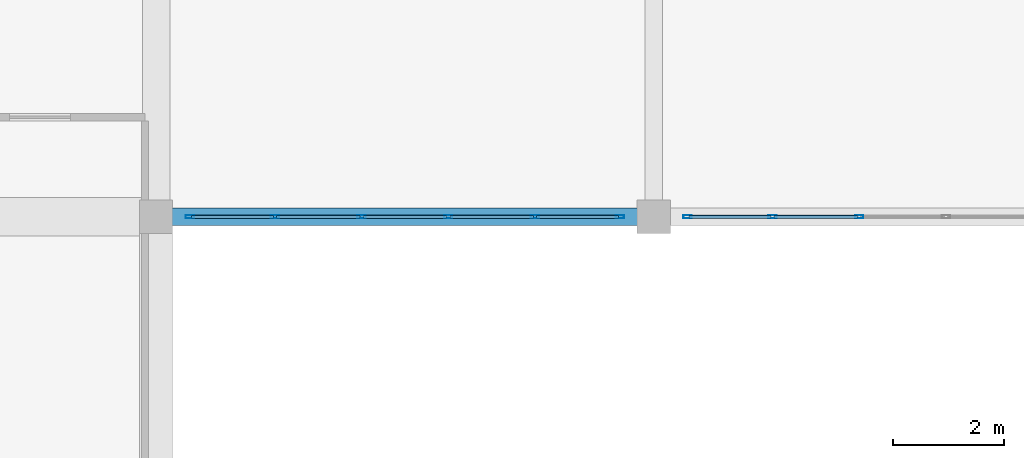
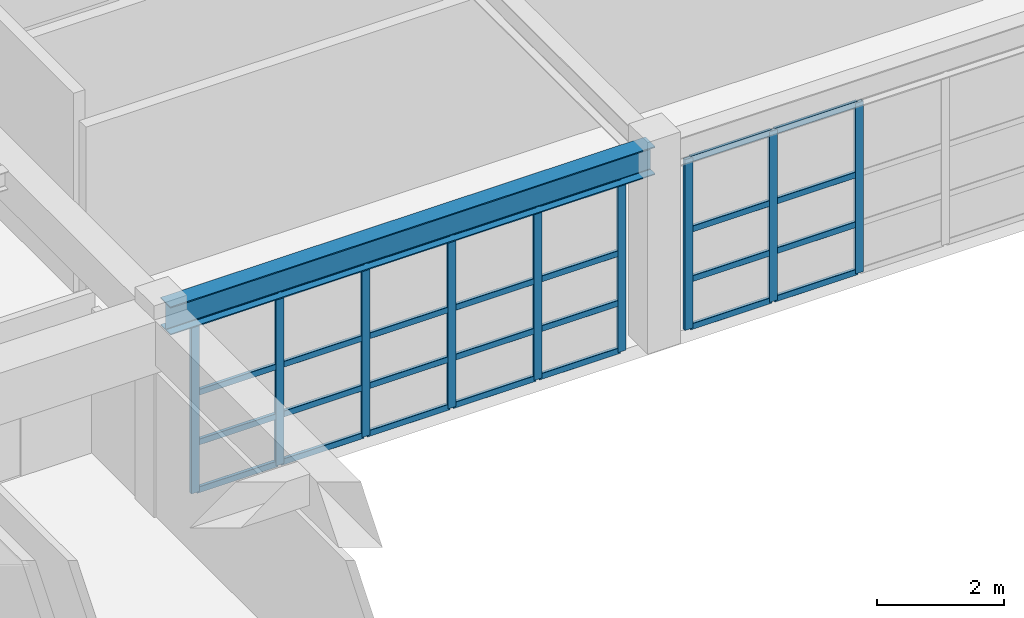
# One storey, part 44 of 130: 37 members, 1 beam, 2 elements without a shape of their own.
"""IFC4 building model written with IfcOpenShell, lengths in metres."""

from ifc_helpers import new_model, si_unit, direction, frame, origin, origin_2d, place, context, subcontext, project, spatial, hollow_rectangle, i_section, extrude, material, material_profile, profile_set, type_object, element, aggregate, save


model = new_model("IFC4")

# Units and contexts
model_context = context("Model", 3, precision=1e-05, world=origin(), true_north=direction((0.0, 1.0)))
body_context = subcontext(model_context, "Body", "Model", "MODEL_VIEW")
ifc_project = project(units=[si_unit("LENGTHUNIT", "METRE"), si_unit("AREAUNIT", "SQUARE_METRE"), si_unit("VOLUMEUNIT", "CUBIC_METRE"), si_unit("PLANEANGLEUNIT", "RADIAN"), si_unit("MASSUNIT", "GRAM", prefix="KILO")], contexts=[model_context])

# Site, building, storey
site_placement = place(None, origin())
site = spatial("IfcSite", under=ifc_project, at=site_placement, CompositionType="ELEMENT")
building_placement = place(site_placement, origin())
building = spatial("IfcBuilding", under=site, at=building_placement, Name="Miravela Opera House", CompositionType="ELEMENT")
storey_placement = place(building_placement, frame((0.0, 0.0, 9.52001953125)))
storey = spatial("IfcBuildingStorey", under=building, at=storey_placement, Name="L02", CompositionType="ELEMENT", Elevation=9.52001953125)

# Curtain wall, members
ifc_material_1 = material(Name="Anodised architectural bronze aluminium 6063-T6", Category="aluminium")
curtain_wall_type = type_object("IfcCurtainWallType", Name="ARC-CW-06", PredefinedType="NOTDEFINED", material=ifc_material_1)
curtain_wall_1_placement = place(storey_placement, origin())
curtain_wall_1 = element("IfcCurtainWall", 1, at=curtain_wall_1_placement, inside=storey, type_object=curtain_wall_type, Name="Courtyard Arcade Curtain Wall CW-L02-182", PredefinedType="NOTDEFINED")
ifc_material_profile_1 = material_profile(ifc_material_1, hollow_rectangle(XDim=0.06005859375, YDim=0.14990234375, WallThickness=0.00390625, InnerFilletRadius=0.001953125, OuterFilletRadius=0.00390625, at=origin_2d()), Name="CWM-60X150")
ifc_profile_set_1 = profile_set([ifc_material_profile_1])
member_type_1 = type_object("IfcMemberType", Name="ARC-CWM-150", PredefinedType="MULLION", material=ifc_profile_set_1)
member_1_placement = place(storey_placement, frame((117.610107421875, 28.0, 0.0), z_axis=(0.0, 0.0, 1.0), x_axis=(0.0, 1.0, 0.0)))
member_1 = element("IfcMember", 2, at=member_1_placement, type_object=member_type_1, Name="CW-06 mullion 1", PredefinedType="MULLION", context=body_context, shape_type="SweptSolid", body=[
    extrude(hollow_rectangle(XDim=0.06005859375, YDim=0.14990234375, WallThickness=0.00390625, InnerFilletRadius=0.001953125, OuterFilletRadius=0.00390625, at=origin_2d()), origin(), (0.0, 0.0, 1.0), 3.2900390625),
])
member_2_placement = place(storey_placement, frame((119.14794921875, 28.0, 0.0), z_axis=(0.0, 0.0, 1.0), x_axis=(0.0, 1.0, 0.0)))
member_2 = element("IfcMember", 3, at=member_2_placement, type_object=member_type_1, Name="CW-06 mullion 2", PredefinedType="MULLION", context=body_context, shape_type="SweptSolid", body=[
    extrude(hollow_rectangle(XDim=0.06005859375, YDim=0.14990234375, WallThickness=0.00390625, InnerFilletRadius=0.001953125, OuterFilletRadius=0.00390625, at=origin_2d()), origin(), (0.0, 0.0, 1.0), 3.2900390625),
])
member_3_placement = place(storey_placement, frame((120.716064453125, 28.0, 0.0), z_axis=(0.0, 0.0, 1.0), x_axis=(0.0, 1.0, 0.0)))
member_3 = element("IfcMember", 4, at=member_3_placement, type_object=member_type_1, Name="CW-06 mullion 3", PredefinedType="MULLION", context=body_context, shape_type="SweptSolid", body=[
    extrude(hollow_rectangle(XDim=0.06005859375, YDim=0.14990234375, WallThickness=0.00390625, InnerFilletRadius=0.001953125, OuterFilletRadius=0.00390625, at=origin_2d()), origin(), (0.0, 0.0, 1.0), 3.2900390625),
])
member_4_placement = place(storey_placement, frame((122.283935546875, 28.0, 0.0), z_axis=(0.0, 0.0, 1.0), x_axis=(0.0, 1.0, 0.0)))
member_4 = element("IfcMember", 5, at=member_4_placement, type_object=member_type_1, Name="CW-06 mullion 4", PredefinedType="MULLION", context=body_context, shape_type="SweptSolid", body=[
    extrude(hollow_rectangle(XDim=0.06005859375, YDim=0.14990234375, WallThickness=0.00390625, InnerFilletRadius=0.001953125, OuterFilletRadius=0.00390625, at=origin_2d()), origin(), (0.0, 0.0, 1.0), 3.2900390625),
])
member_5_placement = place(storey_placement, frame((123.85205078125, 28.0, 0.0), z_axis=(0.0, 0.0, 1.0), x_axis=(0.0, 1.0, 0.0)))
member_5 = element("IfcMember", 6, at=member_5_placement, type_object=member_type_1, Name="CW-06 mullion 5", PredefinedType="MULLION", context=body_context, shape_type="SweptSolid", body=[
    extrude(hollow_rectangle(XDim=0.06005859375, YDim=0.14990234375, WallThickness=0.00390625, InnerFilletRadius=0.001953125, OuterFilletRadius=0.00390625, at=origin_2d()), origin(), (0.0, 0.0, 1.0), 3.2900390625),
])
member_6_placement = place(storey_placement, frame((125.389892578125, 28.0, 0.0), z_axis=(0.0, 0.0, 1.0), x_axis=(0.0, 1.0, 0.0)))
member_6 = element("IfcMember", 7, at=member_6_placement, type_object=member_type_1, Name="CW-06 mullion 6", PredefinedType="MULLION", context=body_context, shape_type="SweptSolid", body=[
    extrude(hollow_rectangle(XDim=0.06005859375, YDim=0.14990234375, WallThickness=0.00390625, InnerFilletRadius=0.001953125, OuterFilletRadius=0.00390625, at=origin_2d()), origin(), (0.0, 0.0, 1.0), 3.2900390625),
])

curtain_wall_2_placement = place(storey_placement, origin())
curtain_wall_2 = element("IfcCurtainWall", 8, at=curtain_wall_2_placement, inside=storey, type_object=curtain_wall_type, Name="Courtyard Arcade Curtain Wall CW-L02-186", PredefinedType="NOTDEFINED")
member_7_placement = place(storey_placement, frame((126.610107421875, 28.0, 0.0), z_axis=(0.0, 0.0, 1.0), x_axis=(0.0, 1.0, 0.0)))
member_7 = element("IfcMember", 9, at=member_7_placement, type_object=member_type_1, Name="CW-06 mullion 1", PredefinedType="MULLION", context=body_context, shape_type="SweptSolid", body=[
    extrude(hollow_rectangle(XDim=0.06005859375, YDim=0.14990234375, WallThickness=0.00390625, InnerFilletRadius=0.001953125, OuterFilletRadius=0.00390625, at=origin_2d()), origin(), (0.0, 0.0, 1.0), 3.2900390625),
])
member_8_placement = place(storey_placement, frame((128.14794921875, 28.0, 0.0), z_axis=(0.0, 0.0, 1.0), x_axis=(0.0, 1.0, 0.0)))
member_8 = element("IfcMember", 10, at=member_8_placement, type_object=member_type_1, Name="CW-06 mullion 2", PredefinedType="MULLION", context=body_context, shape_type="SweptSolid", body=[
    extrude(hollow_rectangle(XDim=0.06005859375, YDim=0.14990234375, WallThickness=0.00390625, InnerFilletRadius=0.001953125, OuterFilletRadius=0.00390625, at=origin_2d()), origin(), (0.0, 0.0, 1.0), 3.2900390625),
])
member_9_placement = place(storey_placement, frame((129.716064453125, 28.0, 0.0), z_axis=(0.0, 0.0, 1.0), x_axis=(0.0, 1.0, 0.0)))
member_9 = element("IfcMember", 11, at=member_9_placement, type_object=member_type_1, Name="CW-06 mullion 3", PredefinedType="MULLION", context=body_context, shape_type="SweptSolid", body=[
    extrude(hollow_rectangle(XDim=0.06005859375, YDim=0.14990234375, WallThickness=0.00390625, InnerFilletRadius=0.001953125, OuterFilletRadius=0.00390625, at=origin_2d()), origin(), (0.0, 0.0, 1.0), 3.2900390625),
])

# Member
ifc_material_profile_2 = material_profile(ifc_material_1, hollow_rectangle(XDim=0.06005859375, YDim=0.114990234375, WallThickness=0.00390625, InnerFilletRadius=0.001953125, OuterFilletRadius=0.00390625, at=origin_2d()), Name="CWT-60X115")
ifc_profile_set_2 = profile_set([ifc_material_profile_2])
member_type_2 = type_object("IfcMemberType", Name="ARC-CWT-115", PredefinedType="USERDEFINED", material=ifc_profile_set_2)
member_10_placement = place(storey_placement, frame((117.639892578125, 28.0, 0.030029296875), z_axis=(1.0, 0.0, 0.0), x_axis=(0.0, 1.0, 0.0)))
member_10 = element("IfcMember", 12, at=member_10_placement, type_object=member_type_2, Name="CW-06 transom 1.1", ObjectType="TRANSOM", PredefinedType="USERDEFINED", context=body_context, shape_type="SweptSolid", body=[
    extrude(hollow_rectangle(XDim=0.06005859375, YDim=0.114990234375, WallThickness=0.00390625, InnerFilletRadius=0.001953125, OuterFilletRadius=0.00390625, at=origin_2d()), origin(), (0.0, 0.0, 1.0), 1.47802734375),
])

member_11_placement = place(storey_placement, frame((117.639892578125, 28.0, 0.949951171875), z_axis=(1.0, 0.0, 0.0), x_axis=(0.0, 1.0, 0.0)))
member_11 = element("IfcMember", 13, at=member_11_placement, type_object=member_type_2, Name="CW-06 transom 1.2", ObjectType="TRANSOM", PredefinedType="USERDEFINED", context=body_context, shape_type="SweptSolid", body=[
    extrude(hollow_rectangle(XDim=0.06005859375, YDim=0.114990234375, WallThickness=0.00390625, InnerFilletRadius=0.001953125, OuterFilletRadius=0.00390625, at=origin_2d()), origin(), (0.0, 0.0, 1.0), 1.47802734375),
])

member_12_placement = place(storey_placement, frame((117.639892578125, 28.0, 1.908203125), z_axis=(1.0, 0.0, 0.0), x_axis=(0.0, 1.0, 0.0)))
member_12 = element("IfcMember", 14, at=member_12_placement, type_object=member_type_2, Name="CW-06 transom 1.3", ObjectType="TRANSOM", PredefinedType="USERDEFINED", context=body_context, shape_type="SweptSolid", body=[
    extrude(hollow_rectangle(XDim=0.06005859375, YDim=0.114990234375, WallThickness=0.00390625, InnerFilletRadius=0.001953125, OuterFilletRadius=0.00390625, at=origin_2d()), origin(), (0.0, 0.0, 1.0), 1.47802734375),
])

member_13_placement = place(storey_placement, frame((117.639892578125, 28.0, 3.260009765625), z_axis=(1.0, 0.0, 0.0), x_axis=(0.0, 1.0, 0.0)))
member_13 = element("IfcMember", 15, at=member_13_placement, type_object=member_type_2, Name="CW-06 transom 1.4", ObjectType="TRANSOM", PredefinedType="USERDEFINED", context=body_context, shape_type="SweptSolid", body=[
    extrude(hollow_rectangle(XDim=0.06005859375, YDim=0.114990234375, WallThickness=0.00390625, InnerFilletRadius=0.001953125, OuterFilletRadius=0.00390625, at=origin_2d()), origin(), (0.0, 0.0, 1.0), 1.47802734375),
])

member_14_placement = place(storey_placement, frame((119.177978515625, 28.0, 0.030029296875), z_axis=(1.0, 0.0, 0.0), x_axis=(0.0, 1.0, 0.0)))
member_14 = element("IfcMember", 16, at=member_14_placement, type_object=member_type_2, Name="CW-06 transom 2.1", ObjectType="TRANSOM", PredefinedType="USERDEFINED", context=body_context, shape_type="SweptSolid", body=[
    extrude(hollow_rectangle(XDim=0.06005859375, YDim=0.114990234375, WallThickness=0.00390625, InnerFilletRadius=0.001953125, OuterFilletRadius=0.00390625, at=origin_2d()), origin(), (0.0, 0.0, 1.0), 1.508056640625),
])

member_15_placement = place(storey_placement, frame((119.177978515625, 28.0, 0.949951171875), z_axis=(1.0, 0.0, 0.0), x_axis=(0.0, 1.0, 0.0)))
member_15 = element("IfcMember", 17, at=member_15_placement, type_object=member_type_2, Name="CW-06 transom 2.2", ObjectType="TRANSOM", PredefinedType="USERDEFINED", context=body_context, shape_type="SweptSolid", body=[
    extrude(hollow_rectangle(XDim=0.06005859375, YDim=0.114990234375, WallThickness=0.00390625, InnerFilletRadius=0.001953125, OuterFilletRadius=0.00390625, at=origin_2d()), origin(), (0.0, 0.0, 1.0), 1.508056640625),
])

member_16_placement = place(storey_placement, frame((119.177978515625, 28.0, 1.908203125), z_axis=(1.0, 0.0, 0.0), x_axis=(0.0, 1.0, 0.0)))
member_16 = element("IfcMember", 18, at=member_16_placement, type_object=member_type_2, Name="CW-06 transom 2.3", ObjectType="TRANSOM", PredefinedType="USERDEFINED", context=body_context, shape_type="SweptSolid", body=[
    extrude(hollow_rectangle(XDim=0.06005859375, YDim=0.114990234375, WallThickness=0.00390625, InnerFilletRadius=0.001953125, OuterFilletRadius=0.00390625, at=origin_2d()), origin(), (0.0, 0.0, 1.0), 1.508056640625),
])

member_17_placement = place(storey_placement, frame((119.177978515625, 28.0, 3.260009765625), z_axis=(1.0, 0.0, 0.0), x_axis=(0.0, 1.0, 0.0)))
member_17 = element("IfcMember", 19, at=member_17_placement, type_object=member_type_2, Name="CW-06 transom 2.4", ObjectType="TRANSOM", PredefinedType="USERDEFINED", context=body_context, shape_type="SweptSolid", body=[
    extrude(hollow_rectangle(XDim=0.06005859375, YDim=0.114990234375, WallThickness=0.00390625, InnerFilletRadius=0.001953125, OuterFilletRadius=0.00390625, at=origin_2d()), origin(), (0.0, 0.0, 1.0), 1.508056640625),
])

member_18_placement = place(storey_placement, frame((120.74609375, 28.0, 0.030029296875), z_axis=(1.0, 0.0, 0.0), x_axis=(0.0, 1.0, 0.0)))
member_18 = element("IfcMember", 20, at=member_18_placement, type_object=member_type_2, Name="CW-06 transom 3.1", ObjectType="TRANSOM", PredefinedType="USERDEFINED", context=body_context, shape_type="SweptSolid", body=[
    extrude(hollow_rectangle(XDim=0.06005859375, YDim=0.114990234375, WallThickness=0.00390625, InnerFilletRadius=0.001953125, OuterFilletRadius=0.00390625, at=origin_2d()), origin(), (0.0, 0.0, 1.0), 1.5078125),
])

member_19_placement = place(storey_placement, frame((120.74609375, 28.0, 0.949951171875), z_axis=(1.0, 0.0, 0.0), x_axis=(0.0, 1.0, 0.0)))
member_19 = element("IfcMember", 21, at=member_19_placement, type_object=member_type_2, Name="CW-06 transom 3.2", ObjectType="TRANSOM", PredefinedType="USERDEFINED", context=body_context, shape_type="SweptSolid", body=[
    extrude(hollow_rectangle(XDim=0.06005859375, YDim=0.114990234375, WallThickness=0.00390625, InnerFilletRadius=0.001953125, OuterFilletRadius=0.00390625, at=origin_2d()), origin(), (0.0, 0.0, 1.0), 1.5078125),
])

member_20_placement = place(storey_placement, frame((120.74609375, 28.0, 1.908203125), z_axis=(1.0, 0.0, 0.0), x_axis=(0.0, 1.0, 0.0)))
member_20 = element("IfcMember", 22, at=member_20_placement, type_object=member_type_2, Name="CW-06 transom 3.3", ObjectType="TRANSOM", PredefinedType="USERDEFINED", context=body_context, shape_type="SweptSolid", body=[
    extrude(hollow_rectangle(XDim=0.06005859375, YDim=0.114990234375, WallThickness=0.00390625, InnerFilletRadius=0.001953125, OuterFilletRadius=0.00390625, at=origin_2d()), origin(), (0.0, 0.0, 1.0), 1.5078125),
])

member_21_placement = place(storey_placement, frame((120.74609375, 28.0, 3.260009765625), z_axis=(1.0, 0.0, 0.0), x_axis=(0.0, 1.0, 0.0)))
member_21 = element("IfcMember", 23, at=member_21_placement, type_object=member_type_2, Name="CW-06 transom 3.4", ObjectType="TRANSOM", PredefinedType="USERDEFINED", context=body_context, shape_type="SweptSolid", body=[
    extrude(hollow_rectangle(XDim=0.06005859375, YDim=0.114990234375, WallThickness=0.00390625, InnerFilletRadius=0.001953125, OuterFilletRadius=0.00390625, at=origin_2d()), origin(), (0.0, 0.0, 1.0), 1.5078125),
])

member_22_placement = place(storey_placement, frame((122.31396484375, 28.0, 0.030029296875), z_axis=(1.0, 0.0, 0.0), x_axis=(0.0, 1.0, 0.0)))
member_22 = element("IfcMember", 24, at=member_22_placement, type_object=member_type_2, Name="CW-06 transom 4.1", ObjectType="TRANSOM", PredefinedType="USERDEFINED", context=body_context, shape_type="SweptSolid", body=[
    extrude(hollow_rectangle(XDim=0.06005859375, YDim=0.114990234375, WallThickness=0.00390625, InnerFilletRadius=0.001953125, OuterFilletRadius=0.00390625, at=origin_2d()), origin(), (0.0, 0.0, 1.0), 1.508056640625),
])

member_23_placement = place(storey_placement, frame((122.31396484375, 28.0, 0.949951171875), z_axis=(1.0, 0.0, 0.0), x_axis=(0.0, 1.0, 0.0)))
member_23 = element("IfcMember", 25, at=member_23_placement, type_object=member_type_2, Name="CW-06 transom 4.2", ObjectType="TRANSOM", PredefinedType="USERDEFINED", context=body_context, shape_type="SweptSolid", body=[
    extrude(hollow_rectangle(XDim=0.06005859375, YDim=0.114990234375, WallThickness=0.00390625, InnerFilletRadius=0.001953125, OuterFilletRadius=0.00390625, at=origin_2d()), origin(), (0.0, 0.0, 1.0), 1.508056640625),
])

member_24_placement = place(storey_placement, frame((122.31396484375, 28.0, 1.908203125), z_axis=(1.0, 0.0, 0.0), x_axis=(0.0, 1.0, 0.0)))
member_24 = element("IfcMember", 26, at=member_24_placement, type_object=member_type_2, Name="CW-06 transom 4.3", ObjectType="TRANSOM", PredefinedType="USERDEFINED", context=body_context, shape_type="SweptSolid", body=[
    extrude(hollow_rectangle(XDim=0.06005859375, YDim=0.114990234375, WallThickness=0.00390625, InnerFilletRadius=0.001953125, OuterFilletRadius=0.00390625, at=origin_2d()), origin(), (0.0, 0.0, 1.0), 1.508056640625),
])

member_25_placement = place(storey_placement, frame((122.31396484375, 28.0, 3.260009765625), z_axis=(1.0, 0.0, 0.0), x_axis=(0.0, 1.0, 0.0)))
member_25 = element("IfcMember", 27, at=member_25_placement, type_object=member_type_2, Name="CW-06 transom 4.4", ObjectType="TRANSOM", PredefinedType="USERDEFINED", context=body_context, shape_type="SweptSolid", body=[
    extrude(hollow_rectangle(XDim=0.06005859375, YDim=0.114990234375, WallThickness=0.00390625, InnerFilletRadius=0.001953125, OuterFilletRadius=0.00390625, at=origin_2d()), origin(), (0.0, 0.0, 1.0), 1.508056640625),
])

member_26_placement = place(storey_placement, frame((123.882080078125, 28.0, 0.030029296875), z_axis=(1.0, 0.0, 0.0), x_axis=(0.0, 1.0, 0.0)))
member_26 = element("IfcMember", 28, at=member_26_placement, type_object=member_type_2, Name="CW-06 transom 5.1", ObjectType="TRANSOM", PredefinedType="USERDEFINED", context=body_context, shape_type="SweptSolid", body=[
    extrude(hollow_rectangle(XDim=0.06005859375, YDim=0.114990234375, WallThickness=0.00390625, InnerFilletRadius=0.001953125, OuterFilletRadius=0.00390625, at=origin_2d()), origin(), (0.0, 0.0, 1.0), 1.47802734375),
])

member_27_placement = place(storey_placement, frame((123.882080078125, 28.0, 0.949951171875), z_axis=(1.0, 0.0, 0.0), x_axis=(0.0, 1.0, 0.0)))
member_27 = element("IfcMember", 29, at=member_27_placement, type_object=member_type_2, Name="CW-06 transom 5.2", ObjectType="TRANSOM", PredefinedType="USERDEFINED", context=body_context, shape_type="SweptSolid", body=[
    extrude(hollow_rectangle(XDim=0.06005859375, YDim=0.114990234375, WallThickness=0.00390625, InnerFilletRadius=0.001953125, OuterFilletRadius=0.00390625, at=origin_2d()), origin(), (0.0, 0.0, 1.0), 1.47802734375),
])

member_28_placement = place(storey_placement, frame((123.882080078125, 28.0, 1.908203125), z_axis=(1.0, 0.0, 0.0), x_axis=(0.0, 1.0, 0.0)))
member_28 = element("IfcMember", 30, at=member_28_placement, type_object=member_type_2, Name="CW-06 transom 5.3", ObjectType="TRANSOM", PredefinedType="USERDEFINED", context=body_context, shape_type="SweptSolid", body=[
    extrude(hollow_rectangle(XDim=0.06005859375, YDim=0.114990234375, WallThickness=0.00390625, InnerFilletRadius=0.001953125, OuterFilletRadius=0.00390625, at=origin_2d()), origin(), (0.0, 0.0, 1.0), 1.47802734375),
])

member_29_placement = place(storey_placement, frame((123.882080078125, 28.0, 3.260009765625), z_axis=(1.0, 0.0, 0.0), x_axis=(0.0, 1.0, 0.0)))
member_29 = element("IfcMember", 31, at=member_29_placement, type_object=member_type_2, Name="CW-06 transom 5.4", ObjectType="TRANSOM", PredefinedType="USERDEFINED", context=body_context, shape_type="SweptSolid", body=[
    extrude(hollow_rectangle(XDim=0.06005859375, YDim=0.114990234375, WallThickness=0.00390625, InnerFilletRadius=0.001953125, OuterFilletRadius=0.00390625, at=origin_2d()), origin(), (0.0, 0.0, 1.0), 1.47802734375),
])

aggregate(curtain_wall_1, [member_1, member_2, member_3, member_4, member_5, member_6, member_10, member_11, member_12, member_13, member_14, member_15, member_16, member_17, member_18, member_19, member_20, member_21, member_22, member_23, member_24, member_25, member_26, member_27, member_28, member_29])

member_30_placement = place(storey_placement, frame((126.639892578125, 28.0, 0.030029296875), z_axis=(1.0, 0.0, 0.0), x_axis=(0.0, 1.0, 0.0)))
member_30 = element("IfcMember", 32, at=member_30_placement, type_object=member_type_2, Name="CW-06 transom 1.1", ObjectType="TRANSOM", PredefinedType="USERDEFINED", context=body_context, shape_type="SweptSolid", body=[
    extrude(hollow_rectangle(XDim=0.06005859375, YDim=0.114990234375, WallThickness=0.00390625, InnerFilletRadius=0.001953125, OuterFilletRadius=0.00390625, at=origin_2d()), origin(), (0.0, 0.0, 1.0), 1.47802734375),
])

member_31_placement = place(storey_placement, frame((126.639892578125, 28.0, 0.949951171875), z_axis=(1.0, 0.0, 0.0), x_axis=(0.0, 1.0, 0.0)))
member_31 = element("IfcMember", 33, at=member_31_placement, type_object=member_type_2, Name="CW-06 transom 1.2", ObjectType="TRANSOM", PredefinedType="USERDEFINED", context=body_context, shape_type="SweptSolid", body=[
    extrude(hollow_rectangle(XDim=0.06005859375, YDim=0.114990234375, WallThickness=0.00390625, InnerFilletRadius=0.001953125, OuterFilletRadius=0.00390625, at=origin_2d()), origin(), (0.0, 0.0, 1.0), 1.47802734375),
])

member_32_placement = place(storey_placement, frame((126.639892578125, 28.0, 1.908203125), z_axis=(1.0, 0.0, 0.0), x_axis=(0.0, 1.0, 0.0)))
member_32 = element("IfcMember", 34, at=member_32_placement, type_object=member_type_2, Name="CW-06 transom 1.3", ObjectType="TRANSOM", PredefinedType="USERDEFINED", context=body_context, shape_type="SweptSolid", body=[
    extrude(hollow_rectangle(XDim=0.06005859375, YDim=0.114990234375, WallThickness=0.00390625, InnerFilletRadius=0.001953125, OuterFilletRadius=0.00390625, at=origin_2d()), origin(), (0.0, 0.0, 1.0), 1.47802734375),
])

member_33_placement = place(storey_placement, frame((126.639892578125, 28.0, 3.260009765625), z_axis=(1.0, 0.0, 0.0), x_axis=(0.0, 1.0, 0.0)))
member_33 = element("IfcMember", 35, at=member_33_placement, type_object=member_type_2, Name="CW-06 transom 1.4", ObjectType="TRANSOM", PredefinedType="USERDEFINED", context=body_context, shape_type="SweptSolid", body=[
    extrude(hollow_rectangle(XDim=0.06005859375, YDim=0.114990234375, WallThickness=0.00390625, InnerFilletRadius=0.001953125, OuterFilletRadius=0.00390625, at=origin_2d()), origin(), (0.0, 0.0, 1.0), 1.47802734375),
])

member_34_placement = place(storey_placement, frame((128.177978515625, 28.0, 0.030029296875), z_axis=(1.0, 0.0, 0.0), x_axis=(0.0, 1.0, 0.0)))
member_34 = element("IfcMember", 36, at=member_34_placement, type_object=member_type_2, Name="CW-06 transom 2.1", ObjectType="TRANSOM", PredefinedType="USERDEFINED", context=body_context, shape_type="SweptSolid", body=[
    extrude(hollow_rectangle(XDim=0.06005859375, YDim=0.114990234375, WallThickness=0.00390625, InnerFilletRadius=0.001953125, OuterFilletRadius=0.00390625, at=origin_2d()), origin(), (0.0, 0.0, 1.0), 1.508056640625),
])

member_35_placement = place(storey_placement, frame((128.177978515625, 28.0, 0.949951171875), z_axis=(1.0, 0.0, 0.0), x_axis=(0.0, 1.0, 0.0)))
member_35 = element("IfcMember", 37, at=member_35_placement, type_object=member_type_2, Name="CW-06 transom 2.2", ObjectType="TRANSOM", PredefinedType="USERDEFINED", context=body_context, shape_type="SweptSolid", body=[
    extrude(hollow_rectangle(XDim=0.06005859375, YDim=0.114990234375, WallThickness=0.00390625, InnerFilletRadius=0.001953125, OuterFilletRadius=0.00390625, at=origin_2d()), origin(), (0.0, 0.0, 1.0), 1.508056640625),
])

member_36_placement = place(storey_placement, frame((128.177978515625, 28.0, 1.908203125), z_axis=(1.0, 0.0, 0.0), x_axis=(0.0, 1.0, 0.0)))
member_36 = element("IfcMember", 38, at=member_36_placement, type_object=member_type_2, Name="CW-06 transom 2.3", ObjectType="TRANSOM", PredefinedType="USERDEFINED", context=body_context, shape_type="SweptSolid", body=[
    extrude(hollow_rectangle(XDim=0.06005859375, YDim=0.114990234375, WallThickness=0.00390625, InnerFilletRadius=0.001953125, OuterFilletRadius=0.00390625, at=origin_2d()), origin(), (0.0, 0.0, 1.0), 1.508056640625),
])

member_37_placement = place(storey_placement, frame((128.177978515625, 28.0, 3.260009765625), z_axis=(1.0, 0.0, 0.0), x_axis=(0.0, 1.0, 0.0)))
member_37 = element("IfcMember", 39, at=member_37_placement, type_object=member_type_2, Name="CW-06 transom 2.4", ObjectType="TRANSOM", PredefinedType="USERDEFINED", context=body_context, shape_type="SweptSolid", body=[
    extrude(hollow_rectangle(XDim=0.06005859375, YDim=0.114990234375, WallThickness=0.00390625, InnerFilletRadius=0.001953125, OuterFilletRadius=0.00390625, at=origin_2d()), origin(), (0.0, 0.0, 1.0), 1.508056640625),
])

aggregate(curtain_wall_2, [member_7, member_8, member_9, member_30, member_31, member_32, member_33, member_34, member_35, member_36, member_37])

# Beam
ifc_material_2 = material(Name="Structural steel ASTM A992 Gr. 50", Category="steel")
ifc_material_profile_3 = material_profile(ifc_material_2, i_section(OverallWidth=0.31201171875, OverallDepth=0.54296875, WebThickness=0.0126953125, FlangeThickness=0.020263671875, FilletRadius=0.01611328125, at=origin_2d()), Name="W530X150")
ifc_profile_set_3 = profile_set([ifc_material_profile_3])
beam_type = type_object("IfcBeamType", Name="STR-BM-W530X150", PredefinedType="BEAM", material=ifc_profile_set_3)
beam_placement = place(storey_placement, frame((117.080078125, 28.0, 3.568359375), z_axis=(1.0, 0.0, 0.0), x_axis=(0.0, 1.0, 0.0)))
element("IfcBeam", 40, at=beam_placement, inside=storey, type_object=beam_type, Name="Roof Eave Girder ROOF-V4-NE S1", PredefinedType="BEAM", context=body_context, shape_type="SweptSolid", body=[
    extrude(i_section(OverallWidth=0.31201171875, OverallDepth=0.54296875, WebThickness=0.0126953125, FlangeThickness=0.020263671875, FilletRadius=0.01611328125, at=origin_2d()), origin(), (0.0, 0.0, 1.0), 8.83984375),
])

save(model, "model.ifc")
